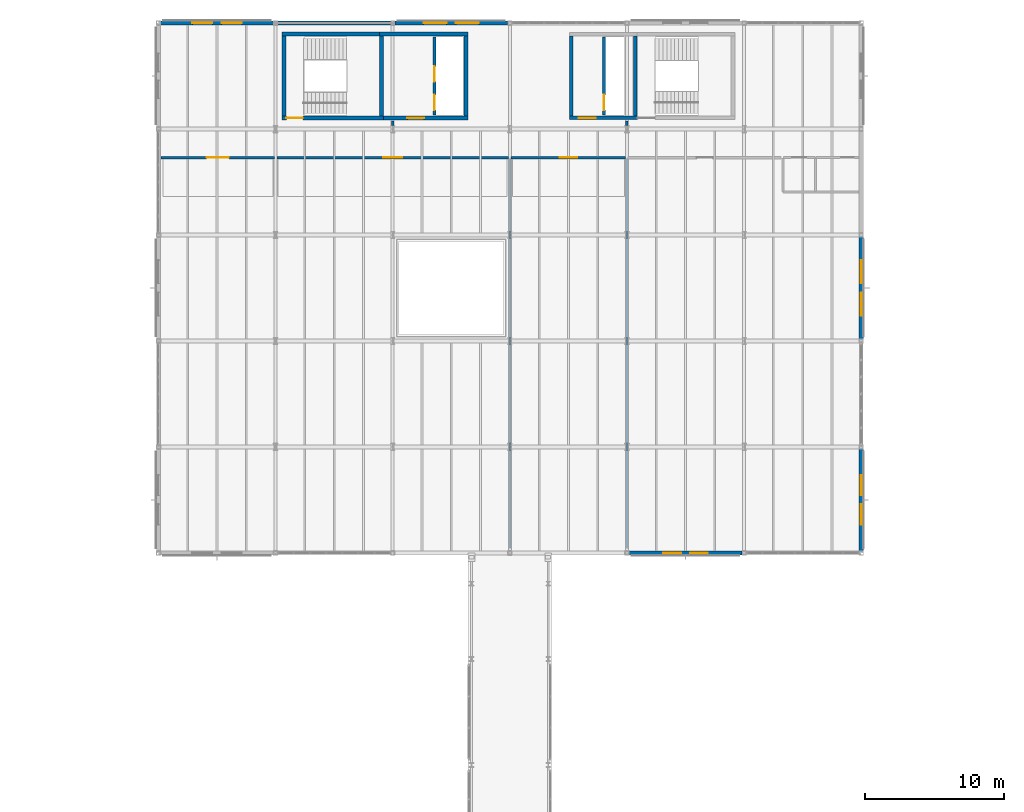
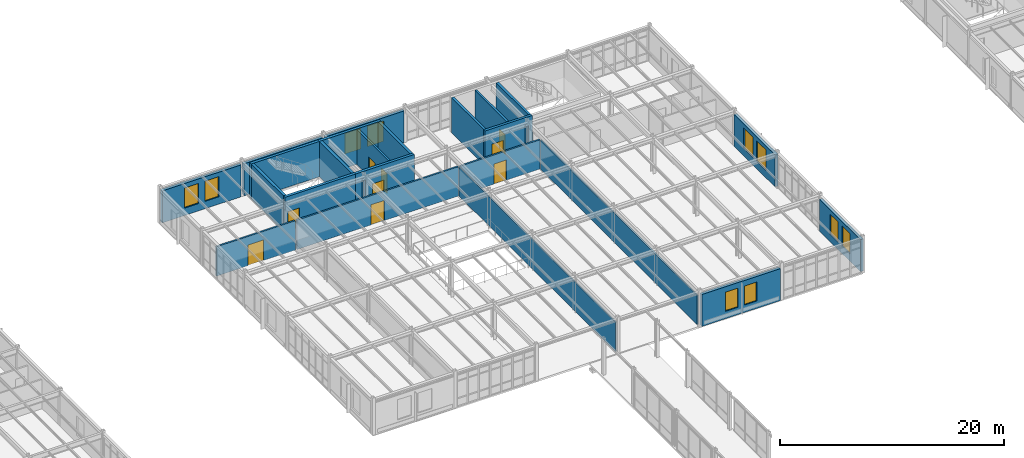
# One storey, part 139 of 165: 25 walls, 10 windows, 9 doors, 19 openings.
"""IFC4 building model written with IfcOpenShell, lengths in metres."""

from ifc_helpers import new_model, si_unit, direction, frame, frame_2d, origin, place, context, subcontext, project, spatial, rectangle, extrude, material, layer, layer_set, type_object, element, fill, save


model = new_model("IFC4")

# Units and contexts
model_context = context("Model", 3, precision=1e-05, world=origin(), true_north=direction((0.0, 1.0)))
body_context = subcontext(model_context, "Body", "Model", "MODEL_VIEW")
ifc_project = project(units=[si_unit("LENGTHUNIT", "METRE"), si_unit("AREAUNIT", "SQUARE_METRE"), si_unit("VOLUMEUNIT", "CUBIC_METRE"), si_unit("PLANEANGLEUNIT", "RADIAN"), si_unit("MASSUNIT", "GRAM", prefix="KILO")], contexts=[model_context])

# Site, building, storey
site_placement = place(None, origin())
site = spatial("IfcSite", under=ifc_project, at=site_placement, CompositionType="ELEMENT")
building_placement = place(site_placement, origin())
building = spatial("IfcBuilding", under=site, at=building_placement, Name="Montecoro Central Library", CompositionType="ELEMENT")
storey_placement = place(building_placement, frame((0.0, 0.0, 5.10009765625)))
storey = spatial("IfcBuildingStorey", under=building, at=storey_placement, Name="L01", CompositionType="ELEMENT", Elevation=5.10009765625)

# Wall, openings, windows
ifc_material_1 = material(Name="Roman travertine stone clad concrete C35/45", Category="masonry")
ifc_layer_1 = layer(ifc_material_1, 0.31005859375)
ifc_layer_set_1 = layer_set([ifc_layer_1], Name="Roman travertine stone clad concrete C35/45")
wall_type_1 = type_object("IfcWallType", Name="EW-TRV-310", PredefinedType="SOLIDWALL", material=ifc_layer_set_1)
wall_1_placement = place(storey_placement, frame((100.153076171875, 81.0, 0.0), z_axis=(0.0, 0.0, 1.0), x_axis=(1.0, 0.0, 0.0)))
wall_1 = element("IfcWall", 1, at=wall_1_placement, inside=storey, type_object=wall_type_1, Name="V2-L01-EW-S4", PredefinedType="SOLIDWALL", context=body_context, shape_type="SweptSolid", body=[
    extrude(rectangle(XDim=8.093994140625, YDim=0.31005859375, at=frame_2d((4.046875, 0.0))), origin(), (0.0, 0.0, 1.0), 3.47998046875),
])
opening_1_placement = place(wall_1_placement, frame((2.44189453125, 0.0, 0.800048828125)))
opening_1 = element("IfcOpeningElement", 2, at=opening_1_placement, cuts=wall_1, Name="Opening WN-23", PredefinedType="OPENING", context=body_context, shape_type="SweptSolid", body=[
    extrude(rectangle(XDim=1.280029296875, YDim=2.080078125, at=frame_2d((0.64013671875, 1.0400390625))), frame((0.0, 0.1650390625, 0.0), z_axis=(0.0, -1.0, 0.0), x_axis=(1.0, 0.0, 0.0)), (0.0, 0.0, 1.0), 0.330078125),
])
opening_2_placement = place(wall_1_placement, frame((4.3720703125, 0.0, 0.800048828125)))
opening_2 = element("IfcOpeningElement", 3, at=opening_2_placement, cuts=wall_1, Name="Opening WN-23", PredefinedType="OPENING", context=body_context, shape_type="SweptSolid", body=[
    extrude(rectangle(XDim=1.280029296875, YDim=2.080078125, at=frame_2d((0.64013671875, 1.0400390625))), frame((0.0, 0.1650390625, 0.0), z_axis=(0.0, -1.0, 0.0), x_axis=(1.0, 0.0, 0.0)), (0.0, 0.0, 1.0), 0.330078125),
])
ifc_material_2 = material(Name="Laminated low-E double glazing", Category="glass")
window_type_1 = type_object("IfcWindowType", Name="WN-RDG-128", PartitioningType="SINGLE_PANEL", PredefinedType="WINDOW", material=ifc_material_2)
window_1_placement = place(opening_1_placement, origin())
window_1 = element("IfcWindow", 4, at=window_1_placement, inside=storey, type_object=window_type_1, Name="V2-L01-WN-S4-1", OverallHeight=2.080078125, OverallWidth=1.280029296875, PartitioningType="SINGLE_PANEL", PredefinedType="WINDOW", context=body_context, shape_type="SweptSolid", body=[
    extrude(rectangle(XDim=1.280029296875, YDim=2.080078125, at=frame_2d((0.64013671875, 1.0400390625))), frame((0.0, 0.030029296875, 0.0), z_axis=(0.0, -1.0, 0.0), x_axis=(1.0, 0.0, 0.0)), (0.0, 0.0, 1.0), 0.06005859375),
])
fill(opening_1, window_1)
window_2_placement = place(opening_2_placement, origin())
window_2 = element("IfcWindow", 5, at=window_2_placement, inside=storey, type_object=window_type_1, Name="V2-L01-WN-S4-2", OverallHeight=2.080078125, OverallWidth=1.280029296875, PartitioningType="SINGLE_PANEL", PredefinedType="WINDOW", context=body_context, shape_type="SweptSolid", body=[
    extrude(rectangle(XDim=1.280029296875, YDim=2.080078125, at=frame_2d((0.64013671875, 1.0400390625))), frame((0.0, 0.030029296875, 0.0), z_axis=(0.0, -1.0, 0.0), x_axis=(1.0, 0.0, 0.0)), (0.0, 0.0, 1.0), 0.06005859375),
])
fill(opening_2, window_2)

wall_2_placement = place(storey_placement, frame((116.800048828125, 81.153076171875, 0.0), z_axis=(0.0, 0.0, 1.0), x_axis=(0.0, 1.0, 0.0)))
wall_2 = element("IfcWall", 6, at=wall_2_placement, inside=storey, type_object=wall_type_1, Name="V2-L01-EW-E0", PredefinedType="SOLIDWALL", context=body_context, shape_type="SweptSolid", body=[
    extrude(rectangle(XDim=7.2939453125, YDim=0.31005859375, at=frame_2d((3.64697265625, 0.0))), origin(), (0.0, 0.0, 1.0), 3.47998046875),
])
opening_3_placement = place(wall_2_placement, frame((1.8720703125, 0.0, 0.800048828125)))
opening_3 = element("IfcOpeningElement", 7, at=opening_3_placement, cuts=wall_2, Name="Opening WN-07", PredefinedType="OPENING", context=body_context, shape_type="SweptSolid", body=[
    extrude(rectangle(XDim=1.449951171875, YDim=2.199951171875, at=frame_2d((0.72509765625, 1.10009765625))), frame((0.0, 0.1650390625, 0.0), z_axis=(0.0, -1.0, 0.0), x_axis=(1.0, 0.0, 0.0)), (0.0, 0.0, 1.0), 0.330078125),
])
opening_4_placement = place(wall_2_placement, frame((3.971923828125, 0.0, 0.800048828125)))
opening_4 = element("IfcOpeningElement", 8, at=opening_4_placement, cuts=wall_2, Name="Opening WN-07", PredefinedType="OPENING", context=body_context, shape_type="SweptSolid", body=[
    extrude(rectangle(XDim=1.449951171875, YDim=2.199951171875, at=frame_2d((0.72509765625, 1.10009765625))), frame((0.0, 0.1650390625, 0.0), z_axis=(0.0, -1.0, 0.0), x_axis=(1.0, 0.0, 0.0)), (0.0, 0.0, 1.0), 0.330078125),
])
window_type_2 = type_object("IfcWindowType", Name="WN-RDG-145", PartitioningType="SINGLE_PANEL", PredefinedType="WINDOW", material=ifc_material_2)
window_3_placement = place(opening_3_placement, origin())
window_3 = element("IfcWindow", 9, at=window_3_placement, inside=storey, type_object=window_type_2, Name="V2-L01-WN-E0-1", OverallHeight=2.199951171875, OverallWidth=1.449951171875, PartitioningType="SINGLE_PANEL", PredefinedType="WINDOW", context=body_context, shape_type="SweptSolid", body=[
    extrude(rectangle(XDim=1.449951171875, YDim=2.199951171875, at=frame_2d((0.72509765625, 1.10009765625))), frame((0.0, 0.030029296875, 0.0), z_axis=(0.0, -1.0, 0.0), x_axis=(1.0, 0.0, 0.0)), (0.0, 0.0, 1.0), 0.06005859375),
])
fill(opening_3, window_3)
window_4_placement = place(opening_4_placement, origin())
window_4 = element("IfcWindow", 10, at=window_4_placement, inside=storey, type_object=window_type_2, Name="V2-L01-WN-E0-2", OverallHeight=2.199951171875, OverallWidth=1.449951171875, PartitioningType="SINGLE_PANEL", PredefinedType="WINDOW", context=body_context, shape_type="SweptSolid", body=[
    extrude(rectangle(XDim=1.449951171875, YDim=2.199951171875, at=frame_2d((0.72509765625, 1.10009765625))), frame((0.0, 0.030029296875, 0.0), z_axis=(0.0, -1.0, 0.0), x_axis=(1.0, 0.0, 0.0)), (0.0, 0.0, 1.0), 0.06005859375),
])
fill(opening_4, window_4)

wall_3_placement = place(storey_placement, frame((116.800048828125, 96.35302734375, 0.0), z_axis=(0.0, 0.0, 1.0), x_axis=(0.0, 1.0, 0.0)))
wall_3 = element("IfcWall", 11, at=wall_3_placement, inside=storey, type_object=wall_type_1, Name="V2-L01-EW-E2", PredefinedType="SOLIDWALL", context=body_context, shape_type="SweptSolid", body=[
    extrude(rectangle(XDim=7.2939453125, YDim=0.31005859375, at=frame_2d((3.64697265625, 0.0))), origin(), (0.0, 0.0, 1.0), 3.47998046875),
])
opening_5_placement = place(wall_3_placement, frame((1.672119140625, 0.0, 0.800048828125)))
opening_5 = element("IfcOpeningElement", 12, at=opening_5_placement, cuts=wall_3, Name="Opening WN-09", PredefinedType="OPENING", context=body_context, shape_type="SweptSolid", body=[
    extrude(rectangle(XDim=1.64990234375, YDim=2.25, at=frame_2d((0.824951171875, 1.125))), frame((0.0, 0.1650390625, 0.0), z_axis=(0.0, -1.0, 0.0), x_axis=(1.0, 0.0, 0.0)), (0.0, 0.0, 1.0), 0.330078125),
])
opening_6_placement = place(wall_3_placement, frame((3.971923828125, 0.0, 0.800048828125)))
opening_6 = element("IfcOpeningElement", 13, at=opening_6_placement, cuts=wall_3, Name="Opening WN-09", PredefinedType="OPENING", context=body_context, shape_type="SweptSolid", body=[
    extrude(rectangle(XDim=1.64990234375, YDim=2.25, at=frame_2d((0.824951171875, 1.125))), frame((0.0, 0.1650390625, 0.0), z_axis=(0.0, -1.0, 0.0), x_axis=(1.0, 0.0, 0.0)), (0.0, 0.0, 1.0), 0.330078125),
])
window_type_3 = type_object("IfcWindowType", Name="WN-RDG-165", PartitioningType="SINGLE_PANEL", PredefinedType="WINDOW", material=ifc_material_2)
window_5_placement = place(opening_5_placement, origin())
window_5 = element("IfcWindow", 14, at=window_5_placement, inside=storey, type_object=window_type_3, Name="V2-L01-WN-E2-1", OverallHeight=2.25, OverallWidth=1.64990234375, PartitioningType="SINGLE_PANEL", PredefinedType="WINDOW", context=body_context, shape_type="SweptSolid", body=[
    extrude(rectangle(XDim=1.64990234375, YDim=2.25, at=frame_2d((0.824951171875, 1.125))), frame((0.0, 0.030029296875, 0.0), z_axis=(0.0, -1.0, 0.0), x_axis=(1.0, 0.0, 0.0)), (0.0, 0.0, 1.0), 0.06005859375),
])
fill(opening_5, window_5)
window_6_placement = place(opening_6_placement, origin())
window_6 = element("IfcWindow", 15, at=window_6_placement, inside=storey, type_object=window_type_3, Name="V2-L01-WN-E2-2", OverallHeight=2.25, OverallWidth=1.64990234375, PartitioningType="SINGLE_PANEL", PredefinedType="WINDOW", context=body_context, shape_type="SweptSolid", body=[
    extrude(rectangle(XDim=1.64990234375, YDim=2.25, at=frame_2d((0.824951171875, 1.125))), frame((0.0, 0.030029296875, 0.0), z_axis=(0.0, -1.0, 0.0), x_axis=(1.0, 0.0, 0.0)), (0.0, 0.0, 1.0), 0.06005859375),
])
fill(opening_6, window_6)

wall_4_placement = place(storey_placement, frame((91.447021484375, 119.0, 0.0), z_axis=(0.0, 0.0, 1.0), x_axis=(-1.0, 0.0, 0.0)))
wall_4 = element("IfcWall", 16, at=wall_4_placement, inside=storey, type_object=wall_type_1, Name="V2-L01-EW-N2", PredefinedType="SOLIDWALL", context=body_context, shape_type="SweptSolid", body=[
    extrude(rectangle(XDim=8.093994140625, YDim=0.31005859375, at=frame_2d((4.046875, 0.0))), origin(), (0.0, 0.0, 1.0), 3.47998046875),
])
opening_7_placement = place(wall_4_placement, frame((2.072021484375, 0.0, 0.800048828125)))
opening_7 = element("IfcOpeningElement", 17, at=opening_7_placement, cuts=wall_4, Name="Opening WN-09", PredefinedType="OPENING", context=body_context, shape_type="SweptSolid", body=[
    extrude(rectangle(XDim=1.64990234375, YDim=2.25, at=frame_2d((0.824951171875, 1.125))), frame((0.0, 0.1650390625, 0.0), z_axis=(0.0, -1.0, 0.0), x_axis=(1.0, 0.0, 0.0)), (0.0, 0.0, 1.0), 0.330078125),
])
opening_8_placement = place(wall_4_placement, frame((4.3720703125, 0.0, 0.800048828125)))
opening_8 = element("IfcOpeningElement", 18, at=opening_8_placement, cuts=wall_4, Name="Opening WN-09", PredefinedType="OPENING", context=body_context, shape_type="SweptSolid", body=[
    extrude(rectangle(XDim=1.64990234375, YDim=2.25, at=frame_2d((0.824951171875, 1.125))), frame((0.0, 0.1650390625, 0.0), z_axis=(0.0, -1.0, 0.0), x_axis=(1.0, 0.0, 0.0)), (0.0, 0.0, 1.0), 0.330078125),
])
window_7_placement = place(opening_7_placement, origin())
window_7 = element("IfcWindow", 19, at=window_7_placement, inside=storey, type_object=window_type_3, Name="V2-L01-WN-N2-1", OverallHeight=2.25, OverallWidth=1.64990234375, PartitioningType="SINGLE_PANEL", PredefinedType="WINDOW", context=body_context, shape_type="SweptSolid", body=[
    extrude(rectangle(XDim=1.64990234375, YDim=2.25, at=frame_2d((0.824951171875, 1.125))), frame((0.0, 0.030029296875, 0.0), z_axis=(0.0, -1.0, 0.0), x_axis=(1.0, 0.0, 0.0)), (0.0, 0.0, 1.0), 0.06005859375),
])
fill(opening_7, window_7)
window_8_placement = place(opening_8_placement, origin())
window_8 = element("IfcWindow", 20, at=window_8_placement, inside=storey, type_object=window_type_3, Name="V2-L01-WN-N2-2", OverallHeight=2.25, OverallWidth=1.64990234375, PartitioningType="SINGLE_PANEL", PredefinedType="WINDOW", context=body_context, shape_type="SweptSolid", body=[
    extrude(rectangle(XDim=1.64990234375, YDim=2.25, at=frame_2d((0.824951171875, 1.125))), frame((0.0, 0.030029296875, 0.0), z_axis=(0.0, -1.0, 0.0), x_axis=(1.0, 0.0, 0.0)), (0.0, 0.0, 1.0), 0.06005859375),
])
fill(opening_8, window_8)

# Wall
wall_5_placement = place(storey_placement, frame((83.047119140625, 119.0, 0.0), z_axis=(0.0, 0.0, 1.0), x_axis=(-1.0, 0.0, 0.0)))
element("IfcWall", 21, at=wall_5_placement, inside=storey, type_object=wall_type_1, Name="V2-L01-EW-N1", PredefinedType="SOLIDWALL", context=body_context, shape_type="SweptSolid", body=[
    extrude(rectangle(XDim=8.09423828125, YDim=0.31005859375, at=frame_2d((4.047119140625, 0.0))), origin(), (0.0, 0.0, 1.0), 3.47998046875),
])

# Wall, openings, windows
wall_6_placement = place(storey_placement, frame((74.64697265625, 119.0, 0.0), z_axis=(0.0, 0.0, 1.0), x_axis=(-1.0, 0.0, 0.0)))
wall_6 = element("IfcWall", 22, at=wall_6_placement, inside=storey, type_object=wall_type_1, Name="V2-L01-EW-N0", PredefinedType="SOLIDWALL", context=body_context, shape_type="SweptSolid", body=[
    extrude(rectangle(XDim=8.093994140625, YDim=0.31005859375, at=frame_2d((4.046875, 0.0))), origin(), (0.0, 0.0, 1.0), 3.47998046875),
])
opening_9_placement = place(wall_6_placement, frame((2.27197265625, 0.0, 0.800048828125)))
opening_9 = element("IfcOpeningElement", 23, at=opening_9_placement, cuts=wall_6, Name="Opening WN-07", PredefinedType="OPENING", context=body_context, shape_type="SweptSolid", body=[
    extrude(rectangle(XDim=1.449951171875, YDim=2.199951171875, at=frame_2d((0.72509765625, 1.10009765625))), frame((0.0, 0.1650390625, 0.0), z_axis=(0.0, -1.0, 0.0), x_axis=(1.0, 0.0, 0.0)), (0.0, 0.0, 1.0), 0.330078125),
])
opening_10_placement = place(wall_6_placement, frame((4.3720703125, 0.0, 0.800048828125)))
opening_10 = element("IfcOpeningElement", 24, at=opening_10_placement, cuts=wall_6, Name="Opening WN-07", PredefinedType="OPENING", context=body_context, shape_type="SweptSolid", body=[
    extrude(rectangle(XDim=1.449951171875, YDim=2.199951171875, at=frame_2d((0.72509765625, 1.10009765625))), frame((0.0, 0.1650390625, 0.0), z_axis=(0.0, -1.0, 0.0), x_axis=(1.0, 0.0, 0.0)), (0.0, 0.0, 1.0), 0.330078125),
])
window_9_placement = place(opening_9_placement, origin())
window_9 = element("IfcWindow", 25, at=window_9_placement, inside=storey, type_object=window_type_2, Name="V2-L01-WN-N0-1", OverallHeight=2.199951171875, OverallWidth=1.449951171875, PartitioningType="SINGLE_PANEL", PredefinedType="WINDOW", context=body_context, shape_type="SweptSolid", body=[
    extrude(rectangle(XDim=1.449951171875, YDim=2.199951171875, at=frame_2d((0.72509765625, 1.10009765625))), frame((0.0, 0.030029296875, 0.0), z_axis=(0.0, -1.0, 0.0), x_axis=(1.0, 0.0, 0.0)), (0.0, 0.0, 1.0), 0.06005859375),
])
fill(opening_9, window_9)
window_10_placement = place(opening_10_placement, origin())
window_10 = element("IfcWindow", 26, at=window_10_placement, inside=storey, type_object=window_type_2, Name="V2-L01-WN-N0-2", OverallHeight=2.199951171875, OverallWidth=1.449951171875, PartitioningType="SINGLE_PANEL", PredefinedType="WINDOW", context=body_context, shape_type="SweptSolid", body=[
    extrude(rectangle(XDim=1.449951171875, YDim=2.199951171875, at=frame_2d((0.72509765625, 1.10009765625))), frame((0.0, 0.030029296875, 0.0), z_axis=(0.0, -1.0, 0.0), x_axis=(1.0, 0.0, 0.0)), (0.0, 0.0, 1.0), 0.06005859375),
])
fill(opening_10, window_10)

# Wall, opening, door
ifc_material_3 = material(Name="Gypsum fire-rated partition")
ifc_layer_2 = layer(ifc_material_3, 0.179931640625)
ifc_layer_set_2 = layer_set([ifc_layer_2], Name="Gypsum fire-rated partition")
wall_type_2 = type_object("IfcWallType", Name="IW-COR-180", PredefinedType="PARTITIONING", material=ifc_layer_set_2)
wall_7_placement = place(storey_placement, frame((66.60009765625, 109.35009765625, 0.0), z_axis=(0.0, 0.0, 1.0), x_axis=(1.0, 0.0, 0.0)))
wall_7 = element("IfcWall", 27, at=wall_7_placement, inside=storey, type_object=wall_type_2, Name="CORW-V2-L01-01", PredefinedType="PARTITIONING", context=body_context, shape_type="SweptSolid", body=[
    extrude(rectangle(XDim=8.10986328125, YDim=0.179931640625, at=frame_2d((4.054931640625, 0.0))), origin(), (0.0, 0.0, 1.0), 3.179931640625),
])
opening_11_placement = place(wall_7_placement, frame((3.2548828125, 0.0, 0.0)))
opening_11 = element("IfcOpeningElement", 28, at=opening_11_placement, cuts=wall_7, Name="Opening ID-06", PredefinedType="OPENING", context=body_context, shape_type="SweptSolid", body=[
    extrude(rectangle(XDim=1.60009765625, YDim=2.25, at=frame_2d((0.800048828125, 1.125))), frame((0.0, 0.099853515625, 0.0), z_axis=(0.0, -1.0, 0.0), x_axis=(1.0, 0.0, 0.0)), (0.0, 0.0, 1.0), 0.199951171875),
])
ifc_material_4 = material(Name="Solid oak and fire-rated steel door", Category="steel")
door_type_1 = type_object("IfcDoorType", Name="ID-COR-160", OperationType="NOTDEFINED", PredefinedType="DOOR", material=ifc_material_4)
door_1_placement = place(opening_11_placement, origin())
door_1 = element("IfcDoor", 29, at=door_1_placement, inside=storey, type_object=door_type_1, Name="DR-SP-V2-L01-R1P1", OperationType="DOUBLE_DOOR_SINGLE_SWING", OverallHeight=2.25, OverallWidth=1.60009765625, PredefinedType="DOOR", context=body_context, shape_type="SweptSolid", body=[
    extrude(rectangle(XDim=1.60009765625, YDim=2.25, at=frame_2d((0.800048828125, 1.125))), frame((0.0, 0.02490234375, 0.0), z_axis=(0.0, -1.0, 0.0), x_axis=(1.0, 0.0, 0.0)), (0.0, 0.0, 1.0), 0.050048828125),
])
fill(opening_11, door_1)

wall_8_placement = place(storey_placement, frame((74.889892578125, 109.35009765625, 0.0), z_axis=(0.0, 0.0, 1.0), x_axis=(1.0, 0.0, 0.0)))
wall_8 = element("IfcWall", 30, at=wall_8_placement, inside=storey, type_object=wall_type_2, Name="CORW-V2-L01-02", PredefinedType="PARTITIONING", context=body_context, shape_type="SweptSolid", body=[
    extrude(rectangle(XDim=16.6201171875, YDim=0.179931640625, at=frame_2d((8.31005859375, 0.0))), origin(), (0.0, 0.0, 1.0), 3.179931640625),
])
opening_12_placement = place(wall_8_placement, frame((7.6298828125, 0.0, 0.0)))
opening_12 = element("IfcOpeningElement", 31, at=opening_12_placement, cuts=wall_8, Name="Opening ID-05", PredefinedType="OPENING", context=body_context, shape_type="SweptSolid", body=[
    extrude(rectangle(XDim=1.360107421875, YDim=2.199951171875, at=frame_2d((0.68017578125, 1.10009765625))), frame((0.0, 0.099853515625, 0.0), z_axis=(0.0, -1.0, 0.0), x_axis=(1.0, 0.0, 0.0)), (0.0, 0.0, 1.0), 0.199951171875),
])
door_type_2 = type_object("IfcDoorType", Name="ID-VLT-136", OperationType="NOTDEFINED", PredefinedType="DOOR", material=ifc_material_4)
door_2_placement = place(opening_12_placement, origin())
door_2 = element("IfcDoor", 32, at=door_2_placement, inside=storey, type_object=door_type_2, Name="DR-SP-V2-L01-R2P1", OperationType="SINGLE_SWING_RIGHT", OverallHeight=2.199951171875, OverallWidth=1.360107421875, PredefinedType="DOOR", context=body_context, shape_type="SweptSolid", body=[
    extrude(rectangle(XDim=1.360107421875, YDim=2.199951171875, at=frame_2d((0.68017578125, 1.10009765625))), frame((0.0, 0.02490234375, 0.0), z_axis=(0.0, -1.0, 0.0), x_axis=(1.0, 0.0, 0.0)), (0.0, 0.0, 1.0), 0.050048828125),
])
fill(opening_12, door_2)

wall_9_placement = place(storey_placement, frame((91.68994140625, 109.35009765625, 0.0), z_axis=(0.0, 0.0, 1.0), x_axis=(1.0, 0.0, 0.0)))
wall_9 = element("IfcWall", 33, at=wall_9_placement, inside=storey, type_object=wall_type_2, Name="CORW-V2-L01-03", PredefinedType="PARTITIONING", context=body_context, shape_type="SweptSolid", body=[
    extrude(rectangle(XDim=8.219970703125, YDim=0.179931640625, at=frame_2d((4.10986328125, 0.0))), origin(), (0.0, 0.0, 1.0), 3.179931640625),
])
opening_13_placement = place(wall_9_placement, frame((3.47998046875, 0.0, 0.0)))
opening_13 = element("IfcOpeningElement", 34, at=opening_13_placement, cuts=wall_9, Name="Opening ID-09", PredefinedType="OPENING", context=body_context, shape_type="SweptSolid", body=[
    extrude(rectangle(XDim=1.260009765625, YDim=2.199951171875, at=frame_2d((0.6298828125, 1.10009765625))), frame((0.0, 0.099853515625, 0.0), z_axis=(0.0, -1.0, 0.0), x_axis=(1.0, 0.0, 0.0)), (0.0, 0.0, 1.0), 0.199951171875),
])
door_type_3 = type_object("IfcDoorType", Name="ID-RDG-126", OperationType="NOTDEFINED", PredefinedType="DOOR", material=ifc_material_4)
door_3_placement = place(opening_13_placement, origin())
door_3 = element("IfcDoor", 35, at=door_3_placement, inside=storey, type_object=door_type_3, Name="DR-SP-V2-L01-R3P1", OperationType="SINGLE_SWING_LEFT", OverallHeight=2.199951171875, OverallWidth=1.260009765625, PredefinedType="DOOR", context=body_context, shape_type="SweptSolid", body=[
    extrude(rectangle(XDim=1.260009765625, YDim=2.199951171875, at=frame_2d((0.6298828125, 1.10009765625))), frame((0.0, 0.02490234375, 0.0), z_axis=(0.0, -1.0, 0.0), x_axis=(1.0, 0.0, 0.0)), (0.0, 0.0, 1.0), 0.050048828125),
])
fill(opening_13, door_3)

# Walls
for number, where, z_axis, x_axis, name in (
    (36, (83.199951171875, 111.639892578125, 0.0), (0.0, 0.0, 1.0), (0.0, 1.0, 0.0), "PIL-V2-L01-1"),
    (37, (100.0, 111.639892578125, 0.0), (0.0, 0.0, 1.0), (0.0, 1.0, 0.0), "PIL-V2-L01-2"),
):
    element("IfcWall", number, at=place(storey_placement, frame(where, z_axis=z_axis, x_axis=x_axis)), inside=storey, type_object=wall_type_2, Name=name, PredefinedType="PARTITIONING", context=body_context, shape_type="SweptSolid", body=[
        extrude(rectangle(XDim=0.320068359375, YDim=0.179931640625, at=frame_2d((0.16015625, 0.0))), origin(), (0.0, 0.0, 1.0), 3.179931640625),
    ])

# Wall, openings, doors
ifc_material_5 = material(Name="Concrete C32/40", Category="concrete")
ifc_layer_3 = layer(ifc_material_5, 0.219970703125)
ifc_layer_set_3 = layer_set([ifc_layer_3], Name="Concrete C32/40")
wall_type_3 = type_object("IfcWallType", Name="IW-FFL-220", PredefinedType="SOLIDWALL", material=ifc_layer_set_3)
wall_10_placement = place(storey_placement, frame((86.199951171875, 112.39990234375, 0.0), z_axis=(0.0, 0.0, 1.0), x_axis=(0.0, 1.0, 0.0)))
wall_10 = element("IfcWall", 38, at=wall_10_placement, inside=storey, type_object=wall_type_3, Name="C2-L01-WLSH", PredefinedType="SOLIDWALL", context=body_context, shape_type="SweptSolid", body=[
    extrude(rectangle(XDim=5.60009765625, YDim=0.219970703125, at=frame_2d((2.800048828125, 0.0))), origin(), (0.0, 0.0, 1.0), 3.844970703125),
])
opening_14_placement = place(wall_10_placement, frame((0.35009765625, 0.0, 0.0)))
opening_14 = element("IfcOpeningElement", 39, at=opening_14_placement, cuts=wall_10, Name="Opening LD-01", PredefinedType="OPENING", context=body_context, shape_type="SweptSolid", body=[
    extrude(rectangle(XDim=1.10009765625, YDim=2.14990234375, at=frame_2d((0.550048828125, 1.074951171875))), frame((0.0, 0.119873046875, 0.0), z_axis=(0.0, -1.0, 0.0), x_axis=(1.0, 0.0, 0.0)), (0.0, 0.0, 1.0), 0.239990234375),
])
opening_15_placement = place(wall_10_placement, frame((2.39990234375, 0.0, 0.0)))
opening_15 = element("IfcOpeningElement", 40, at=opening_15_placement, cuts=wall_10, Name="Opening LD-01", PredefinedType="OPENING", context=body_context, shape_type="SweptSolid", body=[
    extrude(rectangle(XDim=1.10009765625, YDim=2.14990234375, at=frame_2d((0.550048828125, 1.074951171875))), frame((0.0, 0.119873046875, 0.0), z_axis=(0.0, -1.0, 0.0), x_axis=(1.0, 0.0, 0.0)), (0.0, 0.0, 1.0), 0.239990234375),
])
door_type_4 = type_object("IfcDoorType", Name="LD-LIFT-110", OperationType="NOTDEFINED", PredefinedType="DOOR", material=ifc_material_4)
door_4_placement = place(opening_14_placement, origin())
door_4 = element("IfcDoor", 41, at=door_4_placement, inside=storey, type_object=door_type_4, Name="C2-L01-LD-PL-02", OperationType="SLIDING_TO_LEFT", OverallHeight=2.14990234375, OverallWidth=1.10009765625, PredefinedType="DOOR", context=body_context, shape_type="SweptSolid", body=[
    extrude(rectangle(XDim=1.10009765625, YDim=2.14990234375, at=frame_2d((0.550048828125, 1.074951171875))), frame((0.0, 0.02490234375, 0.0), z_axis=(0.0, -1.0, 0.0), x_axis=(1.0, 0.0, 0.0)), (0.0, 0.0, 1.0), 0.050048828125),
])
fill(opening_14, door_4)
door_5_placement = place(opening_15_placement, origin())
door_5 = element("IfcDoor", 42, at=door_5_placement, inside=storey, type_object=door_type_4, Name="C2-L01-LD-FFL-01", OperationType="SLIDING_TO_LEFT", OverallHeight=2.14990234375, OverallWidth=1.10009765625, PredefinedType="DOOR", context=body_context, shape_type="SweptSolid", body=[
    extrude(rectangle(XDim=1.10009765625, YDim=2.14990234375, at=frame_2d((0.550048828125, 1.074951171875))), frame((0.0, 0.02490234375, 0.0), z_axis=(0.0, -1.0, 0.0), x_axis=(1.0, 0.0, 0.0)), (0.0, 0.0, 1.0), 0.050048828125),
])
fill(opening_15, door_5)

# Wall, opening, door
wall_11_placement = place(storey_placement, frame((98.35009765625, 112.39990234375, 0.0), z_axis=(0.0, 0.0, 1.0), x_axis=(0.0, 1.0, 0.0)))
wall_11 = element("IfcWall", 43, at=wall_11_placement, inside=storey, type_object=wall_type_3, Name="C3-L01-WLSH", PredefinedType="SOLIDWALL", context=body_context, shape_type="SweptSolid", body=[
    extrude(rectangle(XDim=5.60009765625, YDim=0.219970703125, at=frame_2d((2.800048828125, 0.0))), origin(), (0.0, 0.0, 1.0), 3.844970703125),
])
opening_16_placement = place(wall_11_placement, frame((0.35009765625, 0.0, 0.0)))
opening_16 = element("IfcOpeningElement", 44, at=opening_16_placement, cuts=wall_11, Name="Opening LD-01", PredefinedType="OPENING", context=body_context, shape_type="SweptSolid", body=[
    extrude(rectangle(XDim=1.10009765625, YDim=2.14990234375, at=frame_2d((0.550048828125, 1.074951171875))), frame((0.0, 0.119873046875, 0.0), z_axis=(0.0, -1.0, 0.0), x_axis=(1.0, 0.0, 0.0)), (0.0, 0.0, 1.0), 0.239990234375),
])
door_6_placement = place(opening_16_placement, origin())
door_6 = element("IfcDoor", 45, at=door_6_placement, inside=storey, type_object=door_type_4, Name="C3-L01-LD-PL-03", OperationType="SLIDING_TO_LEFT", OverallHeight=2.14990234375, OverallWidth=1.10009765625, PredefinedType="DOOR", context=body_context, shape_type="SweptSolid", body=[
    extrude(rectangle(XDim=1.10009765625, YDim=2.14990234375, at=frame_2d((0.550048828125, 1.074951171875))), frame((0.0, 0.02490234375, 0.0), z_axis=(0.0, -1.0, 0.0), x_axis=(1.0, 0.0, 0.0)), (0.0, 0.0, 1.0), 0.050048828125),
])
fill(opening_16, door_6)

# Walls
ifc_material_6 = material(Name="Gypsum metal-stud partition")
ifc_layer_4 = layer(ifc_material_6, 0.1201171875)
ifc_layer_set_4 = layer_set([ifc_layer_4], Name="Gypsum metal-stud partition")
wall_type_4 = type_object("IfcWallType", Name="IW-PRT-120", PredefinedType="PARTITIONING", material=ifc_layer_set_4)
wall_12_placement = place(storey_placement, frame((91.60009765625, 81.320068359375, 0.0), z_axis=(0.0, 0.0, 1.0), x_axis=(0.0, 1.0, 0.0)))
element("IfcWall", 46, at=wall_12_placement, inside=storey, type_object=wall_type_4, Name="DIVW-V2-L01-02-1", PredefinedType="PARTITIONING", context=body_context, shape_type="SweptSolid", body=[
    extrude(rectangle(XDim=27.93994140625, YDim=0.1201171875, at=frame_2d((13.969970703125, 0.0))), origin(), (0.0, 0.0, 1.0), 3.179931640625),
])
ifc_layer_5 = layer(ifc_material_6, 0.139892578125)
ifc_layer_set_5 = layer_set([ifc_layer_5], Name="Gypsum metal-stud partition")
wall_type_5 = type_object("IfcWallType", Name="IW-PRT-140", PredefinedType="PARTITIONING", material=ifc_layer_set_5)
wall_13_placement = place(storey_placement, frame((100.0, 81.320068359375, 0.0), z_axis=(0.0, 0.0, 1.0), x_axis=(0.0, 1.0, 0.0)))
element("IfcWall", 47, at=wall_13_placement, inside=storey, type_object=wall_type_5, Name="DIVW-V2-L01-03-1", PredefinedType="PARTITIONING", context=body_context, shape_type="SweptSolid", body=[
    extrude(rectangle(XDim=27.93994140625, YDim=0.139892578125, at=frame_2d((13.969970703125, 0.0))), origin(), (0.0, 0.0, 1.0), 3.179931640625),
])

# Wall, opening, door
ifc_material_7 = material(Name="Concrete C35/45", Category="concrete")
ifc_layer_6 = layer(ifc_material_7, 0.260009765625)
ifc_layer_set_6 = layer_set([ifc_layer_6], Name="Concrete C35/45")
wall_type_6 = type_object("IfcWallType", Name="IW-SHR-260", PredefinedType="SHEAR", material=ifc_layer_set_6)
wall_14_placement = place(storey_placement, frame((95.8701171875, 112.199951171875, 0.0), z_axis=(0.0, 0.0, 1.0), x_axis=(1.0, 0.0, 0.0)))
wall_14 = element("IfcWall", 48, at=wall_14_placement, inside=storey, type_object=wall_type_6, Name="C3-L01-LWS", PredefinedType="SHEAR", context=body_context, shape_type="SweptSolid", body=[
    extrude(rectangle(XDim=4.85986328125, YDim=0.260009765625, at=frame_2d((2.429931640625, 0.0))), origin(), (0.0, 0.0, 1.0), 3.844970703125),
])
opening_17_placement = place(wall_14_placement, frame((0.679931640625, 0.0, 0.0)))
opening_17 = element("IfcOpeningElement", 49, at=opening_17_placement, cuts=wall_14, Name="Opening ID-03", PredefinedType="OPENING", context=body_context, shape_type="SweptSolid", body=[
    extrude(rectangle(XDim=1.199951171875, YDim=2.159912109375, at=frame_2d((0.60009765625, 1.080078125))), frame((0.0, 0.139892578125, 0.0), z_axis=(0.0, -1.0, 0.0), x_axis=(1.0, 0.0, 0.0)), (0.0, 0.0, 1.0), 0.280029296875),
])
door_type_5 = type_object("IfcDoorType", Name="ID-FFL-120", OperationType="NOTDEFINED", PredefinedType="DOOR", material=ifc_material_4)
door_7_placement = place(opening_17_placement, origin())
door_7 = element("IfcDoor", 50, at=door_7_placement, inside=storey, type_object=door_type_5, Name="C3-L01-DLOB", OperationType="SINGLE_SWING_LEFT", OverallHeight=2.159912109375, OverallWidth=1.199951171875, PredefinedType="DOOR", context=body_context, shape_type="SweptSolid", body=[
    extrude(rectangle(XDim=1.199951171875, YDim=2.159912109375, at=frame_2d((0.60009765625, 1.080078125))), frame((0.0, 0.02490234375, 0.0), z_axis=(0.0, -1.0, 0.0), x_axis=(1.0, 0.0, 0.0)), (0.0, 0.0, 1.0), 0.050048828125),
])
fill(opening_17, door_7)

# Walls
for number, where, z_axis, x_axis, name in (
    (51, (96.0, 118.070068359375, 0.0), (0.0, 0.0, 1.0), (0.0, -1.0, 0.0), "C3-L01-LWW"),
    (52, (100.60009765625, 112.330078125, 0.0), (0.0, 0.0, 1.0), (0.0, 1.0, 0.0), "C3-L01-WW"),
):
    element("IfcWall", number, at=place(storey_placement, frame(where, z_axis=z_axis, x_axis=x_axis)), inside=storey, type_object=wall_type_6, Name=name, PredefinedType="SHEAR", context=body_context, shape_type="SweptSolid", body=[
        extrude(rectangle(XDim=5.739990234375, YDim=0.260009765625, at=frame_2d((2.8701171875, 0.0))), origin(), (0.0, 0.0, 1.0), 3.844970703125),
    ])

# Wall, opening, door
ifc_layer_7 = layer(ifc_material_7, 0.280029296875)
ifc_layer_set_7 = layer_set([ifc_layer_7], Name="Concrete C35/45")
wall_type_7 = type_object("IfcWallType", Name="IW-SHR-280", PredefinedType="SHEAR", material=ifc_layer_set_7)
wall_15_placement = place(storey_placement, frame((82.260009765625, 112.199951171875, 0.0), z_axis=(0.0, 0.0, 1.0), x_axis=(1.0, 0.0, 0.0)))
wall_15 = element("IfcWall", 53, at=wall_15_placement, inside=storey, type_object=wall_type_7, Name="C2-L01-LWS", PredefinedType="SHEAR", context=body_context, shape_type="SweptSolid", body=[
    extrude(rectangle(XDim=6.330078125, YDim=0.280029296875, at=frame_2d((3.1650390625, 0.0))), origin(), (0.0, 0.0, 1.0), 3.844970703125),
])
opening_18_placement = place(wall_15_placement, frame((1.989990234375, 0.0, 0.0)))
opening_18 = element("IfcOpeningElement", 54, at=opening_18_placement, cuts=wall_15, Name="Opening ID-03", PredefinedType="OPENING", context=body_context, shape_type="SweptSolid", body=[
    extrude(rectangle(XDim=1.199951171875, YDim=2.159912109375, at=frame_2d((0.60009765625, 1.080078125))), frame((0.0, 0.14990234375, 0.0), z_axis=(0.0, -1.0, 0.0), x_axis=(1.0, 0.0, 0.0)), (0.0, 0.0, 1.0), 0.300048828125),
])
door_8_placement = place(opening_18_placement, origin())
door_8 = element("IfcDoor", 55, at=door_8_placement, inside=storey, type_object=door_type_5, Name="C2-L01-DLOB", OperationType="SINGLE_SWING_LEFT", OverallHeight=2.159912109375, OverallWidth=1.199951171875, PredefinedType="DOOR", context=body_context, shape_type="SweptSolid", body=[
    extrude(rectangle(XDim=1.199951171875, YDim=2.159912109375, at=frame_2d((0.60009765625, 1.080078125))), frame((0.0, 0.02490234375, 0.0), z_axis=(0.0, -1.0, 0.0), x_axis=(1.0, 0.0, 0.0)), (0.0, 0.0, 1.0), 0.050048828125),
])
fill(opening_18, door_8)

# Walls
wall_16_placement = place(storey_placement, frame((88.590087890625, 118.199951171875, 0.0), z_axis=(0.0, 0.0, 1.0), x_axis=(-1.0, 0.0, 0.0)))
element("IfcWall", 56, at=wall_16_placement, inside=storey, type_object=wall_type_7, Name="C2-L01-LWN", PredefinedType="SHEAR", context=body_context, shape_type="SweptSolid", body=[
    extrude(rectangle(XDim=6.330078125, YDim=0.280029296875, at=frame_2d((3.1650390625, 0.0))), origin(), (0.0, 0.0, 1.0), 3.844970703125),
])
wall_17_placement = place(storey_placement, frame((88.449951171875, 112.340087890625, 0.0), z_axis=(0.0, 0.0, 1.0), x_axis=(0.0, 1.0, 0.0)))
element("IfcWall", 57, at=wall_17_placement, inside=storey, type_object=wall_type_7, Name="C2-L01-LWE", PredefinedType="SHEAR", context=body_context, shape_type="SweptSolid", body=[
    extrude(rectangle(XDim=5.719970703125, YDim=0.280029296875, at=frame_2d((2.85986328125, 0.0))), origin(), (0.0, 0.0, 1.0), 3.844970703125),
])

# Wall, opening, door
wall_18_placement = place(storey_placement, frame((75.260009765625, 112.199951171875, 0.0), z_axis=(0.0, 0.0, 1.0), x_axis=(1.0, 0.0, 0.0)))
wall_18 = element("IfcWall", 58, at=wall_18_placement, inside=storey, type_object=wall_type_7, Name="C2-L01-WS", PredefinedType="SHEAR", context=body_context, shape_type="SweptSolid", body=[
    extrude(rectangle(XDim=7.280029296875, YDim=0.280029296875, at=frame_2d((3.64013671875, 0.0))), origin(), (0.0, 0.0, 1.0), 3.844970703125),
])
opening_19_placement = place(wall_18_placement, frame((0.320068359375, 0.0, 0.0)))
opening_19 = element("IfcOpeningElement", 59, at=opening_19_placement, cuts=wall_18, Name="Opening ID-02", PredefinedType="OPENING", context=body_context, shape_type="SweptSolid", body=[
    extrude(rectangle(XDim=1.179931640625, YDim=2.179931640625, at=frame_2d((0.58984375, 1.08984375))), frame((0.0, 0.14990234375, 0.0), z_axis=(0.0, -1.0, 0.0), x_axis=(1.0, 0.0, 0.0)), (0.0, 0.0, 1.0), 0.300048828125),
])
door_type_6 = type_object("IfcDoorType", Name="ID-STR-135", OperationType="NOTDEFINED", PredefinedType="DOOR", material=ifc_material_4)
door_9_placement = place(opening_19_placement, origin())
door_9 = element("IfcDoor", 60, at=door_9_placement, inside=storey, type_object=door_type_6, Name="C2-L01-DSTR", OperationType="SINGLE_SWING_RIGHT", OverallHeight=2.179931640625, OverallWidth=1.179931640625, PredefinedType="DOOR", context=body_context, shape_type="SweptSolid", body=[
    extrude(rectangle(XDim=1.179931640625, YDim=2.179931640625, at=frame_2d((0.58984375, 1.08984375))), frame((0.0, 0.02490234375, 0.0), z_axis=(0.0, -1.0, 0.0), x_axis=(1.0, 0.0, 0.0)), (0.0, 0.0, 1.0), 0.050048828125),
])
fill(opening_19, door_9)

# Walls
wall_19_placement = place(storey_placement, frame((75.260009765625, 118.199951171875, 0.0), z_axis=(0.0, 0.0, 1.0), x_axis=(1.0, 0.0, 0.0)))
element("IfcWall", 61, at=wall_19_placement, inside=storey, type_object=wall_type_7, Name="C2-L01-WN", PredefinedType="SHEAR", context=body_context, shape_type="SweptSolid", body=[
    extrude(rectangle(XDim=7.280029296875, YDim=0.280029296875, at=frame_2d((3.64013671875, 0.0))), origin(), (0.0, 0.0, 1.0), 3.844970703125),
])
for number, where, z_axis, x_axis, name in (
    (62, (75.39990234375, 112.340087890625, 0.0), (0.0, 0.0, 1.0), (0.0, 1.0, 0.0), "C2-L01-WW"),
    (63, (82.39990234375, 112.340087890625, 0.0), (0.0, 0.0, 1.0), (0.0, 1.0, 0.0), "C2-L01-WE"),
):
    element("IfcWall", number, at=place(storey_placement, frame(where, z_axis=z_axis, x_axis=x_axis)), inside=storey, type_object=wall_type_7, Name=name, PredefinedType="SHEAR", context=body_context, shape_type="SweptSolid", body=[
        extrude(rectangle(XDim=5.719970703125, YDim=0.280029296875, at=frame_2d((2.85986328125, 0.0))), origin(), (0.0, 0.0, 1.0), 3.844970703125),
    ])

save(model, "model.ifc")
